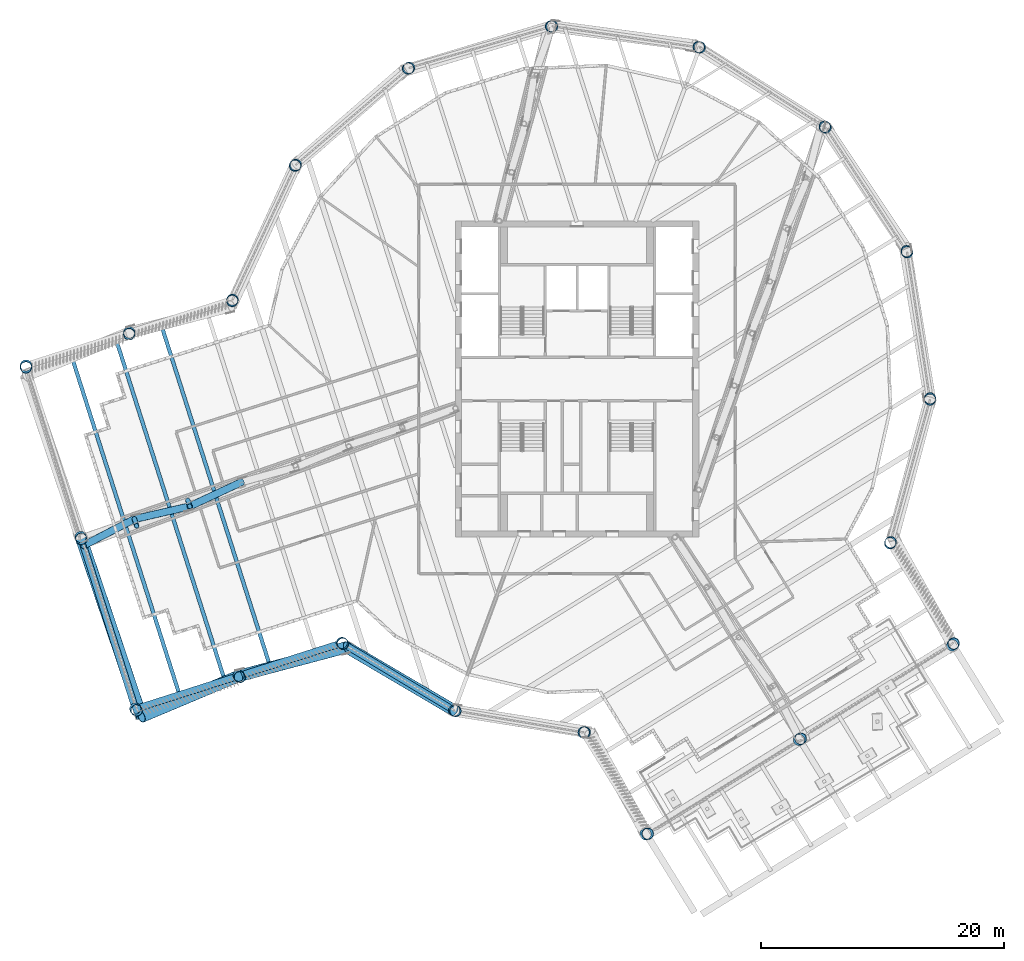
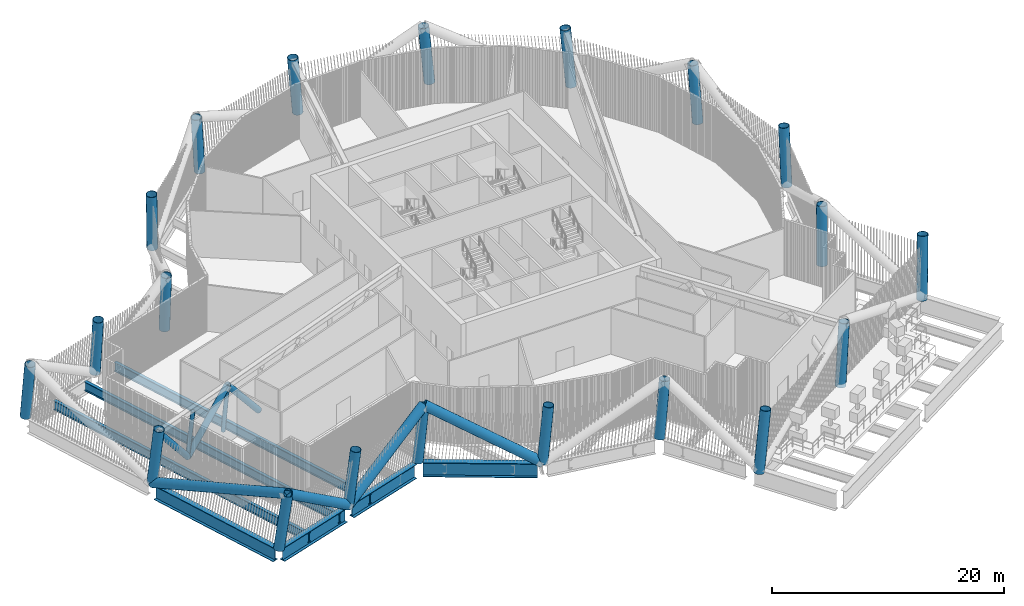
# One storey, part 1 of 40: 20 columns, 9 members, 7 beams.
"""IFC4 building model written with IfcOpenShell, lengths in metres."""

from ifc_helpers import new_model, si_unit, direction, frame, origin, origin_2d, place, context, subcontext, project, spatial, hollow_circle, i_section, extrude, material, material_profile, profile_set, type_object, element, save


model = new_model("IFC4")

# Units and contexts
model_context = context("Model", 3, precision=1e-05, world=origin(), true_north=direction((0.0, 1.0)))
body_context = subcontext(model_context, "Body", "Model", "MODEL_VIEW")
ifc_project = project(units=[si_unit("LENGTHUNIT", "METRE"), si_unit("AREAUNIT", "SQUARE_METRE"), si_unit("VOLUMEUNIT", "CUBIC_METRE"), si_unit("PLANEANGLEUNIT", "RADIAN"), si_unit("MASSUNIT", "GRAM", prefix="KILO")], contexts=[model_context])

# Site, building, storey
site_placement = place(None, origin())
site = spatial("IfcSite", under=ifc_project, at=site_placement, CompositionType="ELEMENT")
building_placement = place(site_placement, origin())
building = spatial("IfcBuilding", under=site, at=building_placement, Name="Tarsis Ring Headquarters", CompositionType="ELEMENT")
storey_placement = place(building_placement, frame((0.0, 0.0, 354.800048828125)))
storey = spatial("IfcBuildingStorey", under=building, at=storey_placement, Name="L84", CompositionType="ELEMENT", Elevation=354.800048828125)

# Columns
ifc_material = material(Name="Structural steel S355", Category="steel")
ifc_material_profile_1 = material_profile(ifc_material, hollow_circle(Radius=0.482666015625, WallThickness=0.0400390625, at=origin_2d()), Name="CHS 965x40")
ifc_profile_set_1 = profile_set([ifc_material_profile_1], Name="Structural steel S355")
column_type = type_object("IfcColumnType", Name="XC Exo column CHS 965x40", PredefinedType="COLUMN", material=ifc_profile_set_1)
for number, where, z_axis, x_axis, name in (
    (1, (-10.086181640625, -27.2412109375, 0.01611328125), (0.082365405527, -0.029640145933, 0.996161333179), (0.33860417503, 0.940928909457, 0.0), "Exo column XC7 F1"),
    (2, (0.53369140625, -29.043701171875, 0.01611328125), (0.087495491048, 0.002402156339, 0.996162019298), (-0.02744428885, 0.999623334566, 0.0), "Exo column XC7 AK"),
):
    element("IfcColumn", number, at=place(storey_placement, frame(where, z_axis=z_axis, x_axis=x_axis)), inside=storey, type_object=column_type, Name=name, PredefinedType="COLUMN", context=body_context, shape_type="SweptSolid", body=[
        extrude(hollow_circle(Radius=0.482666015625, WallThickness=0.0400390625, at=origin_2d()), origin(), (0.0, 0.0, 1.0), 5.996337890625),
    ])
column_1_placement = place(storey_placement, frame((5.640625, -37.393798828125, -0.359619140625), z_axis=(0.11224628289, 0.018115334726, 0.9935152775), x_axis=(-0.159327551074, 0.987225775326, 0.0)))
element("IfcColumn", 3, at=column_1_placement, inside=storey, type_object=column_type, Name="Exo column XC7 AT1", PredefinedType="COLUMN", context=body_context, shape_type="SweptSolid", body=[
    extrude(hollow_circle(Radius=0.482666015625, WallThickness=0.0400390625, at=origin_2d()), origin(), (0.0, 0.0, 1.0), 6.38818359375),
])
column_2_placement = place(storey_placement, frame((18.244140625, -29.634765625, -0.359619140625), z_axis=(0.088590900106, 0.055770955248, 0.994505531895), x_axis=(-0.532755120085, 0.846269450012, 0.0)))
element("IfcColumn", 4, at=column_2_placement, inside=storey, type_object=column_type, Name="Exo column XC7 AT2", PredefinedType="COLUMN", context=body_context, shape_type="SweptSolid", body=[
    extrude(hollow_circle(Radius=0.482666015625, WallThickness=0.0400390625, at=origin_2d()), origin(), (0.0, 0.0, 1.0), 6.382568359375),
])
column_3_placement = place(storey_placement, frame((30.847412109375, -21.875732421875, -0.359619140625), z_axis=(0.064779963085, 0.09336722703, 0.993522076906), x_axis=(-0.821610615705, 0.570049117323, 0.0)))
element("IfcColumn", 5, at=column_3_placement, inside=storey, type_object=column_type, Name="Exo column XC7 AT3", PredefinedType="COLUMN", context=body_context, shape_type="SweptSolid", body=[
    extrude(hollow_circle(Radius=0.482666015625, WallThickness=0.0400390625, at=origin_2d()), origin(), (0.0, 0.0, 1.0), 6.387939453125),
])
for number, where, z_axis, x_axis, name in (
    (6, (25.722412109375, -13.497314453125, 0.01611328125), (0.039981579691, 0.077886722962, 0.99616019378), (-0.889633405518, 0.456675381191, 0.0), "Exo column XC7 AJ"),
    (7, (28.9990234375, -1.69482421875, 0.01611328125), (0.004315726137, 0.087454525879, 0.996159164196), (-0.998784595461, 0.049288252849, 0.0), "Exo column XC7 R1"),
    (8, (27.11962890625, 10.408935546875, 0.01611328125), (-0.03212362285, 0.081469416125, 0.996158023153), (-0.930293042177, -0.36681719654, 0.0), "Exo column XC7 R2"),
    (9, (20.41796875, 20.662109375, 0.01611328125), (-0.062822486269, 0.060949618889, 0.996161873982), (-0.696327426472, -0.71772426122, 0.0), "Exo column XC7 R3"),
    (10, (10.086181640625, 27.2412109375, 0.01611328125), (-0.082365405527, 0.029640145933, 0.996161333179), (-0.33860417503, -0.940928909457, 0.0), "Exo column XC7 R4"),
    (11, (-2.0390625, 28.976806640625, 0.01611328125), (-0.087291632404, -0.006921444734, 0.996158754675), (0.079042959795, -0.996871210592, 0.0), "Exo column XC7 R5"),
    (12, (-13.8017578125, 25.560302734375, 0.01611328125), (-0.076665206088, -0.042302256572, 0.9961591064), (0.483114218745, -0.875557337726, 0.0), "Exo column XC7 R6"),
    (13, (-23.1103515625, 17.598876953125, 0.01611328125), (-0.052440183649, -0.070110245531, 0.996159917187), (0.80078057117, -0.598957825591, 0.0), "Exo column XC7 R7"),
    (14, (-28.31005859375, 6.508544921875, 0.01611328125), (-0.018850778099, -0.085500289436, 0.996159800771), (0.976546784047, -0.215305314768, 0.0), "Exo column XC7 BJ"),
):
    element("IfcColumn", number, at=place(storey_placement, frame(where, z_axis=z_axis, x_axis=x_axis)), inside=storey, type_object=column_type, Name=name, PredefinedType="COLUMN", context=body_context, shape_type="SweptSolid", body=[
        extrude(hollow_circle(Radius=0.482666015625, WallThickness=0.0400390625, at=origin_2d()), origin(), (0.0, 0.0, 1.0), 5.996337890625),
    ])
column_4_placement = place(storey_placement, frame((-36.791748046875, 3.803955078125, 0.02001953125), z_axis=(-0.010408812325, -0.110715609222, 0.993797620495), x_axis=(0.99560976947, -0.09360121226, 0.0)))
element("IfcColumn", 15, at=column_4_placement, inside=storey, type_object=column_type, Name="Exo column XC7 BO1", PredefinedType="COLUMN", context=body_context, shape_type="SweptSolid", body=[
    extrude(hollow_circle(Radius=0.482666015625, WallThickness=0.0400390625, at=origin_2d()), origin(), (0.0, 0.0, 1.0), 6.004638671875),
])
column_5_placement = place(storey_placement, frame((-45.273193359375, 1.099365234375, 0.024169921875), z_axis=(-0.002069542311, -0.135737628066, 0.990742657465), x_axis=(0.999883790294, -0.015244864964, 0.0)))
element("IfcColumn", 16, at=column_5_placement, inside=storey, type_object=column_type, Name="Exo column XC7 BT3", PredefinedType="COLUMN", context=body_context, shape_type="SweptSolid", body=[
    extrude(hollow_circle(Radius=0.482666015625, WallThickness=0.0400390625, at=origin_2d()), origin(), (0.0, 0.0, 1.0), 6.016357421875),
])
column_6_placement = place(storey_placement, frame((-40.777587890625, -13.001220703125, 0.02294921875), z_axis=(0.040118768821, -0.121980548117, 0.991721347088), x_axis=(0.94994060962, 0.31243053339, 0.0)))
element("IfcColumn", 17, at=column_6_placement, inside=storey, type_object=column_type, Name="Exo column XC7 BT2", PredefinedType="COLUMN", context=body_context, shape_type="SweptSolid", body=[
    extrude(hollow_circle(Radius=0.482666015625, WallThickness=0.0400390625, at=origin_2d()), origin(), (0.0, 0.0, 1.0), 6.012451171875),
])
column_7_placement = place(storey_placement, frame((-36.28173828125, -27.10205078125, 0.024169921875), z_axis=(0.082213990902, -0.107981949551, 0.990747575456), x_axis=(0.795637584802, 0.605772922514, 0.0)))
element("IfcColumn", 18, at=column_7_placement, inside=storey, type_object=column_type, Name="Exo column XC7 BT1", PredefinedType="COLUMN", context=body_context, shape_type="SweptSolid", body=[
    extrude(hollow_circle(Radius=0.482666015625, WallThickness=0.0400390625, at=origin_2d()), origin(), (0.0, 0.0, 1.0), 6.016357421875),
])
column_8_placement = place(storey_placement, frame((-27.800537109375, -24.3974609375, 0.02001953125), z_axis=(0.07412209255, -0.082904523702, 0.993797139936), x_axis=(0.745489880221, 0.666516945387, 0.0)))
element("IfcColumn", 19, at=column_8_placement, inside=storey, type_object=column_type, Name="Exo column XC7 BI1", PredefinedType="COLUMN", context=body_context, shape_type="SweptSolid", body=[
    extrude(hollow_circle(Radius=0.482666015625, WallThickness=0.0400390625, at=origin_2d()), origin(), (0.0, 0.0, 1.0), 6.004638671875),
])
column_9_placement = place(storey_placement, frame((-19.319091796875, -21.693115234375, 0.01611328125), z_axis=(0.065916705418, -0.057610956248, 0.996160612385), x_axis=(0.658076470761, 0.752951099761, 0.0)))
element("IfcColumn", 20, at=column_9_placement, inside=storey, type_object=column_type, Name="Exo column XC7 BK", PredefinedType="COLUMN", context=body_context, shape_type="SweptSolid", body=[
    extrude(hollow_circle(Radius=0.482666015625, WallThickness=0.0400390625, at=origin_2d()), origin(), (0.0, 0.0, 1.0), 5.996337890625),
])

# Beams
ifc_material_profile_2 = material_profile(ifc_material, i_section(OverallWidth=0.309814453125, OverallDepth=0.949951171875, WebThickness=0.0244140625, FlangeThickness=0.0439453125, at=origin_2d()), Name="W36x256")
ifc_profile_set_2 = profile_set([ifc_material_profile_2], Name="Structural steel S355")
beam_type_1 = type_object("IfcBeamType", Name="FB Floor beam W36x256", PredefinedType="JOIST", material=ifc_profile_set_2)
beam_1_placement = place(storey_placement, frame((-34.246826171875, 4.70654296875, -0.775146484375), z_axis=(0.303694777057, -0.952769375236, 0.0), x_axis=(0.952769375236, 0.303694777057, 0.0)))
element("IfcBeam", 21, at=beam_1_placement, inside=storey, type_object=beam_type_1, Name="Floor beam FB11", PredefinedType="JOIST", context=body_context, shape_type="SweptSolid", body=[
    extrude(i_section(OverallWidth=0.309814453125, OverallDepth=0.949951171875, WebThickness=0.0244140625, FlangeThickness=0.0439453125, at=origin_2d()), origin(), (0.0, 0.0, 1.0), 29.77001953125),
])
beam_2_placement = place(storey_placement, frame((-37.962646484375, 3.52197265625, -0.775146484375), z_axis=(0.303697150007, -0.952768618857, 0.0), x_axis=(0.952768618857, 0.303697150007, 0.0)))
element("IfcBeam", 22, at=beam_2_placement, inside=storey, type_object=beam_type_1, Name="Floor beam FB11", PredefinedType="JOIST", context=body_context, shape_type="SweptSolid", body=[
    extrude(i_section(OverallWidth=0.309814453125, OverallDepth=0.949951171875, WebThickness=0.0244140625, FlangeThickness=0.0439453125, at=origin_2d()), origin(), (0.0, 0.0, 1.0), 29.769775390625),
])
beam_3_placement = place(storey_placement, frame((-41.678466796875, 2.337646484375, -0.775146484375), z_axis=(0.303694777057, -0.952769375236, 0.0), x_axis=(0.952769375236, 0.303694777057, 0.0)))
element("IfcBeam", 23, at=beam_3_placement, inside=storey, type_object=beam_type_1, Name="Floor beam FB11", PredefinedType="JOIST", context=body_context, shape_type="SweptSolid", body=[
    extrude(i_section(OverallWidth=0.309814453125, OverallDepth=0.949951171875, WebThickness=0.0244140625, FlangeThickness=0.0439453125, at=origin_2d()), origin(), (0.0, 0.0, 1.0), 29.77001953125),
])

# Members
ifc_material_profile_3 = material_profile(ifc_material, hollow_circle(Radius=0.3046875, WallThickness=0.02490234375, at=origin_2d()), Name="CHS 610x25")
ifc_profile_set_3 = profile_set([ifc_material_profile_3], Name="Structural steel S355")
member_type_1 = type_object("IfcMemberType", Name="OD Outrigger diagonal CHS 610x25", PredefinedType="BRACE", material=ifc_profile_set_3)
member_1_placement = place(storey_placement, frame((-27.581787109375, -8.47412109375, 0.25390625), z_axis=(-0.597637425736, -0.279950116309, 0.751303826516), x_axis=(0.42419481172, -0.905570958959, 0.0)))
element("IfcMember", 24, at=member_1_placement, inside=storey, type_object=member_type_1, Name="Outrigger diagonal OD1", PredefinedType="BRACE", context=body_context, shape_type="SweptSolid", body=[
    extrude(hollow_circle(Radius=0.3046875, WallThickness=0.02490234375, at=origin_2d()), origin(), (0.0, 0.0, 1.0), 7.096923828125),
])
member_2_placement = place(storey_placement, frame((-31.8232421875, -10.4609375, 5.5859375), z_axis=(-0.641919664063, -0.148156505239, -0.752322267944), x_axis=(0.224890056795, -0.974384145168, 0.0)))
element("IfcMember", 25, at=member_2_placement, inside=storey, type_object=member_type_1, Name="Outrigger diagonal OD1", PredefinedType="BRACE", context=body_context, shape_type="SweptSolid", body=[
    extrude(hollow_circle(Radius=0.3046875, WallThickness=0.02490234375, at=origin_2d()), origin(), (0.0, 0.0, 1.0), 7.08740234375),
])
member_3_placement = place(storey_placement, frame((-36.372802734375, -11.510986328125, 0.25390625), z_axis=(-0.58741345098, -0.305612827563, 0.749363888399), x_axis=(0.461540353428, -0.887119215302, 0.0)))
element("IfcMember", 26, at=member_3_placement, inside=storey, type_object=member_type_1, Name="Outrigger diagonal OD1", PredefinedType="BRACE", context=body_context, shape_type="SweptSolid", body=[
    extrude(hollow_circle(Radius=0.3046875, WallThickness=0.02490234375, at=origin_2d()), origin(), (0.0, 0.0, 1.0), 7.115478515625),
])
ifc_material_profile_4 = material_profile(ifc_material, hollow_circle(Radius=0.203125, WallThickness=0.01611328125, at=origin_2d()), Name="CHS 406x16")
ifc_profile_set_4 = profile_set([ifc_material_profile_4], Name="Structural steel S355")
member_type_2 = type_object("IfcMemberType", Name="OV Outrigger post CHS 406x16", PredefinedType="STRUT", material=ifc_profile_set_4)
member_4_placement = place(storey_placement, frame((-31.977294921875, -9.99267578125, 0.508056640625), z_axis=(0.031769371735, -0.096566806636, 0.994819359922), x_axis=(0.949914183381, 0.312510870549, 0.0)))
element("IfcMember", 27, at=member_4_placement, inside=storey, type_object=member_type_2, Name="Outrigger post OV1", PredefinedType="STRUT", context=body_context, shape_type="SweptSolid", body=[
    extrude(hollow_circle(Radius=0.203125, WallThickness=0.01611328125, at=origin_2d()), origin(), (0.0, 0.0, 1.0), 4.84912109375),
])
member_5_placement = place(storey_placement, frame((-36.372802734375, -11.510986328125, 0.508056640625), z_axis=(0.038026522953, -0.115687030858, 0.992557552207), x_axis=(0.949995043436, 0.31226497954, 0.0)))
element("IfcMember", 28, at=member_5_placement, inside=storey, type_object=member_type_2, Name="Outrigger post OV1", PredefinedType="STRUT", context=body_context, shape_type="SweptSolid", body=[
    extrude(hollow_circle(Radius=0.203125, WallThickness=0.01611328125, at=origin_2d()), origin(), (0.0, 0.0, 1.0), 4.860107421875),
])
member_type_3 = type_object("IfcMemberType", Name="TD Belt truss diagonal CHS 965x40", PredefinedType="BRACE", material=ifc_profile_set_1)
member_6_placement = place(storey_placement, frame((-40.778564453125, -12.998291015625, 0.0), z_axis=(0.299096395618, -0.883935885672, 0.359442201404), x_axis=(0.947242619766, 0.32051742433, 0.0)))
element("IfcMember", 29, at=member_6_placement, inside=storey, type_object=member_type_3, Name="Belt truss diagonal TD7", PredefinedType="BRACE", context=body_context, shape_type="SweptSolid", body=[
    extrude(hollow_circle(Radius=0.482666015625, WallThickness=0.0400390625, at=origin_2d()), origin(), (0.0, 0.0, 1.0), 16.692626953125),
])
member_7_placement = place(storey_placement, frame((-27.802001953125, -24.395751953125, 0.0), z_axis=(-0.757741124922, -0.318672059539, 0.569452812858), x_axis=(0.387667575072, -0.921799246711, 0.0)))
element("IfcMember", 30, at=member_7_placement, inside=storey, type_object=member_type_3, Name="Belt truss diagonal TD7", PredefinedType="BRACE", context=body_context, shape_type="SweptSolid", body=[
    extrude(hollow_circle(Radius=0.482666015625, WallThickness=0.0400390625, at=origin_2d()), origin(), (0.0, 0.0, 1.0), 10.536376953125),
])
member_8_placement = place(storey_placement, frame((-27.802001953125, -24.395751953125, 0.0), z_axis=(0.809215308722, 0.214770153155, 0.546849490669), x_axis=(-0.256524388653, 0.9665377582, 0.0)))
element("IfcMember", 31, at=member_8_placement, inside=storey, type_object=member_type_3, Name="Belt truss diagonal TD7", PredefinedType="BRACE", context=body_context, shape_type="SweptSolid", body=[
    extrude(hollow_circle(Radius=0.482666015625, WallThickness=0.0400390625, at=origin_2d()), origin(), (0.0, 0.0, 1.0), 10.971923828125),
])
member_9_placement = place(storey_placement, frame((-10.08740234375, -27.24072265625, 0.0), z_axis=(-0.743781276663, 0.437838751639, 0.505061026063), x_axis=(-0.507295856616, -0.861771961635, 0.0)))
element("IfcMember", 32, at=member_9_placement, inside=storey, type_object=member_type_3, Name="Belt truss diagonal TD7", PredefinedType="BRACE", context=body_context, shape_type="SweptSolid", body=[
    extrude(hollow_circle(Radius=0.482666015625, WallThickness=0.0400390625, at=origin_2d()), origin(), (0.0, 0.0, 1.0), 11.879638671875),
])

# Beams
ifc_material_profile_5 = material_profile(ifc_material, i_section(OverallWidth=0.550048828125, OverallDepth=1.5, WebThickness=0.030029296875, FlangeThickness=0.050048828125, at=origin_2d()), Name="PG 1500x550x30x50")
ifc_profile_set_5 = profile_set([ifc_material_profile_5], Name="Structural steel S355")
beam_type_2 = type_object("IfcBeamType", Name="XG Ring girder PG 1500x550x30x50", PredefinedType="BEAM", material=ifc_profile_set_5)
beam_4_placement = place(storey_placement, frame((-40.646484375, -13.412109375, -0.75), z_axis=(0.303698377437, -0.95276822761, 0.0), x_axis=(0.95276822761, 0.303698377437, 0.0)))
element("IfcBeam", 33, at=beam_4_placement, inside=storey, type_object=beam_type_2, Name="Ring girder XG6", PredefinedType="BEAM", context=body_context, shape_type="SweptSolid", body=[
    extrude(i_section(OverallWidth=0.550048828125, OverallDepth=1.5, WebThickness=0.030029296875, FlangeThickness=0.050048828125, at=origin_2d()), origin(), (0.0, 0.0, 1.0), 13.931396484375),
])
beam_5_placement = place(storey_placement, frame((-35.869873046875, -26.967529296875, -0.75), z_axis=(0.952761602162, 0.303719162132, 0.0), x_axis=(-0.303719162132, 0.952761602162, 0.0)))
element("IfcBeam", 34, at=beam_5_placement, inside=storey, type_object=beam_type_2, Name="Ring girder XG6", PredefinedType="BEAM", context=body_context, shape_type="SweptSolid", body=[
    extrude(i_section(OverallWidth=0.550048828125, OverallDepth=1.5, WebThickness=0.030029296875, FlangeThickness=0.050048828125, at=origin_2d()), origin(), (0.0, 0.0, 1.0), 8.033447265625),
])
beam_6_placement = place(storey_placement, frame((-27.38818359375, -24.263916015625, -0.75), z_axis=(0.952764405389, 0.303710368317, 0.0), x_axis=(-0.303710368317, 0.952764405389, 0.0)))
element("IfcBeam", 35, at=beam_6_placement, inside=storey, type_object=beam_type_2, Name="Ring girder XG6", PredefinedType="BEAM", context=body_context, shape_type="SweptSolid", body=[
    extrude(i_section(OverallWidth=0.550048828125, OverallDepth=1.5, WebThickness=0.030029296875, FlangeThickness=0.050048828125, at=origin_2d()), origin(), (0.0, 0.0, 1.0), 8.03369140625),
])
beam_7_placement = place(storey_placement, frame((-18.94775390625, -21.915771484375, -0.75), z_axis=(0.857114196136, -0.51512644543, 0.0), x_axis=(0.51512644543, 0.857114196136, 0.0)))
element("IfcBeam", 36, at=beam_7_placement, inside=storey, type_object=beam_type_2, Name="Ring girder XG6", PredefinedType="BEAM", context=body_context, shape_type="SweptSolid", body=[
    extrude(i_section(OverallWidth=0.550048828125, OverallDepth=1.5, WebThickness=0.030029296875, FlangeThickness=0.050048828125, at=origin_2d()), origin(), (0.0, 0.0, 1.0), 9.903076171875),
])

save(model, "model.ifc")
